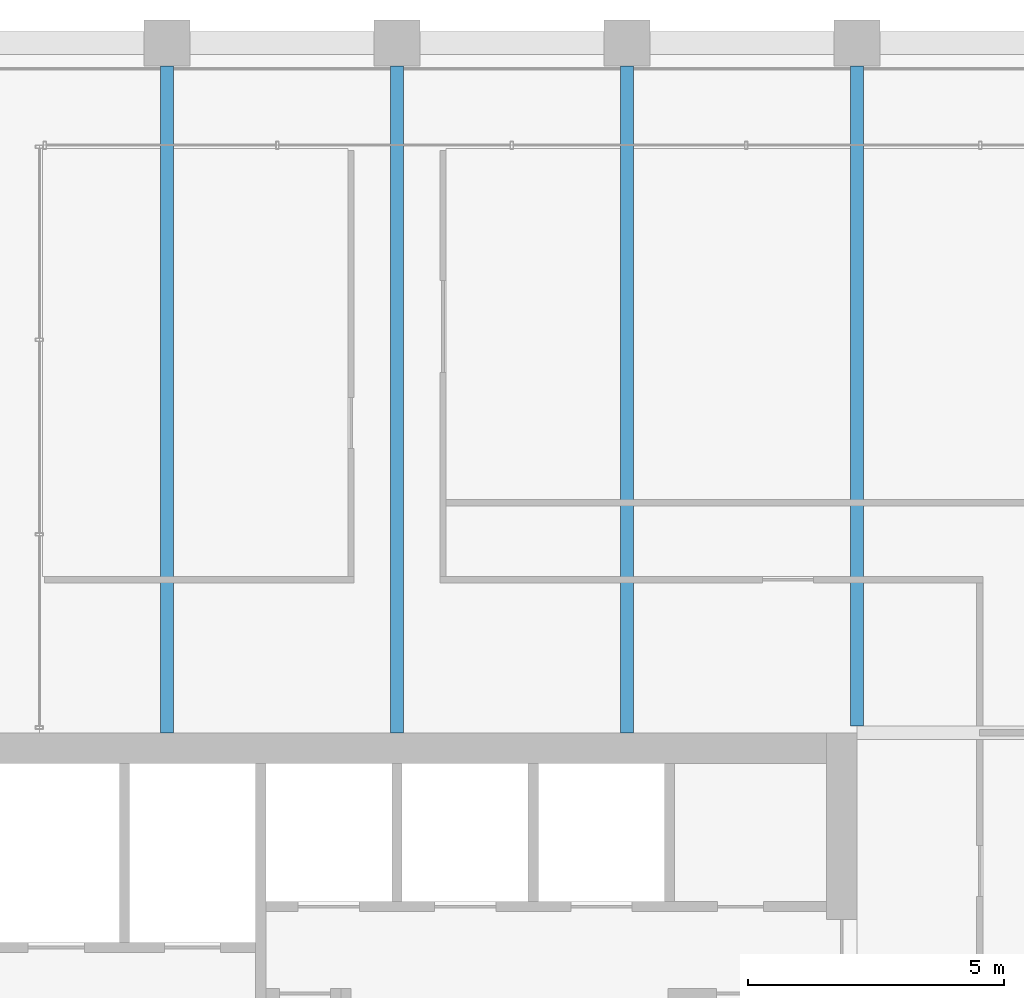
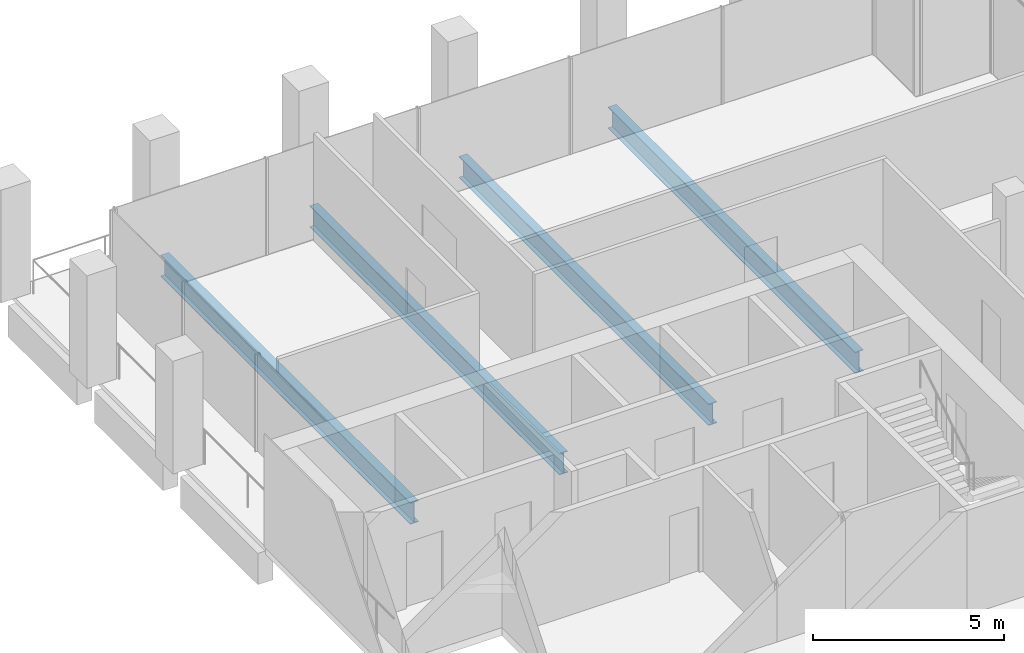
# One storey, part 22 of 40: 4 beams.
"""IFC4 building model written with IfcOpenShell, lengths in metres."""

from ifc_helpers import new_model, si_unit, direction, frame, origin, origin_2d, place, context, subcontext, project, spatial, i_section, extrude, material, material_profile, profile_set, type_object, element, save


model = new_model("IFC4")

# Units and contexts
model_context = context("Model", 3, precision=1e-05, world=origin(), true_north=direction((0.0, 1.0)))
body_context = subcontext(model_context, "Body", "Model", "MODEL_VIEW")
ifc_project = project(units=[si_unit("LENGTHUNIT", "METRE"), si_unit("AREAUNIT", "SQUARE_METRE"), si_unit("VOLUMEUNIT", "CUBIC_METRE"), si_unit("PLANEANGLEUNIT", "RADIAN"), si_unit("MASSUNIT", "GRAM", prefix="KILO")], contexts=[model_context])

# Site, building, storey
site_placement = place(None, origin())
site = spatial("IfcSite", under=ifc_project, at=site_placement, CompositionType="ELEMENT")
building_placement = place(site_placement, origin())
building = spatial("IfcBuilding", under=site, at=building_placement, Name="Altepetl Exchange Towers", CompositionType="ELEMENT")
storey_placement = place(building_placement, frame((0.0, 0.0, 179.800048828125)))
storey = spatial("IfcBuildingStorey", under=building, at=storey_placement, Name="L45", CompositionType="ELEMENT", Elevation=179.800048828125)

# Beams
ifc_material = material(Name="Steel S355", Category="steel")
ifc_material_profile = material_profile(ifc_material, i_section(OverallWidth=0.25390625, OverallDepth=0.68408203125, WebThickness=0.012451171875, FlangeThickness=0.018798828125, at=origin_2d()), Name="W27X94")
ifc_profile_set = profile_set([ifc_material_profile], Name="Steel S355")
beam_type = type_object("IfcBeamType", Name="Floor beam W27X94", PredefinedType="BEAM", material=ifc_profile_set)
for number, where, z_axis, x_axis, name in (
    (1, (45.0, 58.5, -0.491943359375), (0.0, 1.0, 0.0), (-1.0, 0.0, 0.0), "bm:A:L45:000"),
    (2, (49.5, 58.5, -0.491943359375), (0.0, 1.0, 0.0), (-1.0, 0.0, 0.0), "bm:A:L45:001"),
    (3, (54.0, 58.5, -0.491943359375), (0.0, 1.0, 0.0), (-1.0, 0.0, 0.0), "bm:A:L45:002"),
):
    element("IfcBeam", number, at=place(storey_placement, frame(where, z_axis=z_axis, x_axis=x_axis)), inside=storey, type_object=beam_type, Name=name, PredefinedType="BEAM", context=body_context, shape_type="SweptSolid", body=[
        extrude(i_section(OverallWidth=0.25390625, OverallDepth=0.68408203125, WebThickness=0.012451171875, FlangeThickness=0.018798828125, at=origin_2d()), origin(), (0.0, 0.0, 1.0), 13.050048828125),
    ])
beam_placement = place(storey_placement, frame((58.5, 58.634033203125, -0.491943359375), z_axis=(0.0, 1.0, 0.0), x_axis=(-1.0, 0.0, 0.0)))
element("IfcBeam", 4, at=beam_placement, inside=storey, type_object=beam_type, Name="bm:A:L45:003", PredefinedType="BEAM", context=body_context, shape_type="SweptSolid", body=[
    extrude(i_section(OverallWidth=0.25390625, OverallDepth=0.68408203125, WebThickness=0.012451171875, FlangeThickness=0.018798828125, at=origin_2d()), origin(), (0.0, 0.0, 1.0), 12.916015625),
])

save(model, "model.ifc")
